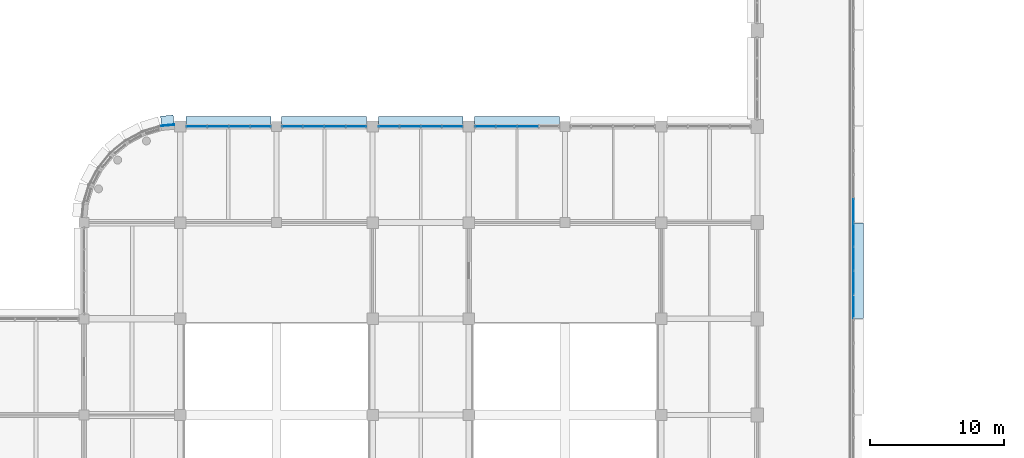
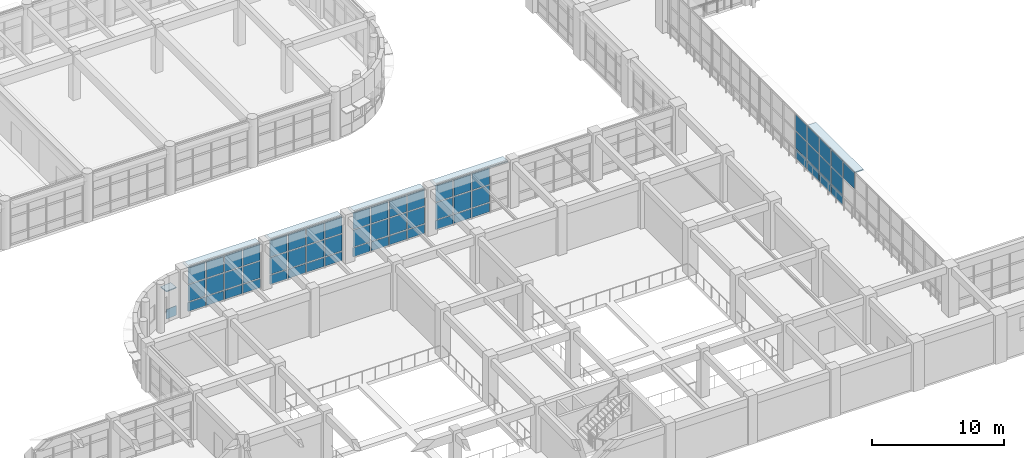
# One storey, part 124 of 171: 65 plates, 6 elements without a shape of their own.
"""IFC4 building model written with IfcOpenShell, lengths in metres."""

import ifcopenshell
import ifcopenshell.guid

model = None  # the IFC model being written
_history = None  # IfcOwnerHistory: only IFC2X3 demands one
_inside = {}  # id of a spatial element -> (the spatial element, [elements in it])
_under = {}  # id of a project, library or spatial element -> (it, [spatial elements below it])
_declared = {}  # id of a project -> (the project, [libraries it declares])
_typed = {}  # id of a type object -> (the type object, [elements of that type])
_made_of = {}  # id of a material, layer set ... -> (it, [elements and type objects made of it])


def new_model(schema):
    """Start an empty IFC model of exactly this schema.

    Asked for "IFC4X3", IfcOpenShell would pick the latest addendum, in which some entities
    have other attributes; the version numbers below select the first issue.
    IFC2X3 requires an IfcOwnerHistory on every rooted entity: one is made here for all.
    """
    global model, _history
    if schema == "IFC4X3":
        model = ifcopenshell.file(schema_version=(4, 3, 0, 0))
    else:
        model = ifcopenshell.file(schema=schema)
    _inside.clear()
    _under.clear()
    _declared.clear()
    _typed.clear()
    _made_of.clear()
    _history = None
    if model.schema == "IFC2X3":
        org = make("IfcOrganization", Name="unknown")
        user = make(
            "IfcPersonAndOrganization",
            ThePerson=make("IfcPerson", FamilyName="unknown"),
            TheOrganization=org,
        )
        app = make(
            "IfcApplication",
            ApplicationDeveloper=org,
            Version="unknown",
            ApplicationFullName="unknown",
            ApplicationIdentifier="unknown",
        )
        _history = make(
            "IfcOwnerHistory",
            OwningUser=user,
            OwningApplication=app,
            ChangeAction="ADDED",
            CreationDate=0,
        )
    return model


def make(cls, **values):
    """One entity of the class cls with the attributes given. An attribute that is None is left unset."""
    return model.create_entity(
        cls, **{name: value for name, value in values.items() if value is not None}
    )


def rooted(cls, **values):
    """An entity with a GlobalId (a new one), such as an element, a storey or a relation."""
    return make(cls, GlobalId=ifcopenshell.guid.new(), OwnerHistory=_history, **values)


def si_unit(unit_type, name, prefix=None):
    """IfcSIUnit, for example si_unit("LENGTHUNIT", "METRE", prefix="MILLI")."""
    return make("IfcSIUnit", UnitType=unit_type, Prefix=prefix, Name=name)


def assignment(units):
    """IfcUnitAssignment: the units of a project."""
    return None if units is None else make("IfcUnitAssignment", Units=units)


def point(xyz):
    """IfcCartesianPoint."""
    return None if xyz is None else make("IfcCartesianPoint", Coordinates=xyz)


def direction(xyz):
    """IfcDirection."""
    return None if xyz is None else make("IfcDirection", DirectionRatios=xyz)


def frame(location, z_axis=None, x_axis=None):
    """IfcAxis2Placement3D, a coordinate frame: its origin and axes. An axis left out is left unset."""
    return make(
        "IfcAxis2Placement3D",
        Location=point(location),
        Axis=direction(z_axis),
        RefDirection=direction(x_axis),
    )


def frame_2d(location, x_axis=None):
    """IfcAxis2Placement2D, a coordinate frame in the plane: its origin and x axis."""
    return make(
        "IfcAxis2Placement2D", Location=point(location), RefDirection=direction(x_axis)
    )


def origin():
    """The frame at (0, 0, 0) with its axes left unset."""
    return frame((0.0, 0.0, 0.0))


def origin_2d():
    """The frame at (0, 0) in the plane with its x axis left unset."""
    return frame_2d((0.0, 0.0))


def place(relative_to, where):
    """IfcLocalPlacement: puts the frame where relative to a parent placement (None: the world)."""
    return make(
        "IfcLocalPlacement", PlacementRelTo=relative_to, RelativePlacement=where
    )


def context(
    kind, dimensions, precision=None, world=None, true_north=None, identifier=None
):
    """IfcGeometricRepresentationContext, for example the 3D "Model" context."""
    return make(
        "IfcGeometricRepresentationContext",
        ContextIdentifier=identifier,
        ContextType=kind,
        CoordinateSpaceDimension=dimensions,
        Precision=precision,
        WorldCoordinateSystem=world,
        TrueNorth=true_north,
    )


def subcontext(parent, identifier, kind, view, scale=None):
    """IfcGeometricRepresentationSubContext, for example "Body" below "Model"."""
    return make(
        "IfcGeometricRepresentationSubContext",
        ContextIdentifier=identifier,
        ContextType=kind,
        ParentContext=parent,
        TargetScale=scale,
        TargetView=view,
    )


def project(units=None, contexts=None):
    """IfcProject with its units and contexts."""
    return rooted(
        "IfcProject",
        Name="project",
        RepresentationContexts=contexts,
        UnitsInContext=assignment(units),
    )


def spatial(cls, under=None, at=None, **own):
    """A site, building, storey or space (cls), placed at a placement, below another one or the project."""
    s = rooted(cls, ObjectPlacement=at, **own)
    if under is not None:
        _under.setdefault(under.id(), (under, []))[1].append(s)
    return s


def profile(cls, at=None, kind="AREA", **sizes):
    """A parametric profile (cls). Its sizes go by their IFC names, for example OverallWidth=200.0."""
    return make(cls, ProfileType=kind, Position=at, **sizes)


def rectangle(**sizes):
    """IfcRectangleProfileDef."""
    return profile("IfcRectangleProfileDef", **sizes)


def extrude(swept, where, along, depth):
    """IfcExtrudedAreaSolid: the profile swept, set in the frame where, extruded along a direction by depth."""
    return make(
        "IfcExtrudedAreaSolid",
        SweptArea=swept,
        Position=where,
        ExtrudedDirection=direction(along),
        Depth=depth,
    )


def shape(context_of_items, identifier, shape_type, items):
    """IfcShapeRepresentation: the items that make up one representation, for example the "Body"."""
    return make(
        "IfcShapeRepresentation",
        ContextOfItems=context_of_items,
        RepresentationIdentifier=identifier,
        RepresentationType=shape_type,
        Items=items,
    )


def material(Name=None, Category=None):
    """IfcMaterial."""
    return make("IfcMaterial", Name=Name, Category=Category)


def layer(
    of_material, thickness, ventilated=None, Name=None, Category=None, Priority=None
):
    """IfcMaterialLayer: one layer of a wall or slab, of a material (None: an air gap)."""
    return make(
        "IfcMaterialLayer",
        Material=of_material,
        LayerThickness=thickness,
        IsVentilated=ventilated,
        Name=Name,
        Category=Category,
        Priority=Priority,
    )


def layer_set(layers, Name=None):
    """IfcMaterialLayerSet."""
    return make("IfcMaterialLayerSet", MaterialLayers=layers, LayerSetName=Name)


def made_of(thing, what):
    """Note that an element or type object is made of a material, layer set ...; save() writes the relation."""
    if what is not None:
        _made_of.setdefault(what.id(), (what, []))[1].append(thing)
    return thing


def type_object(cls, material=None, **own):
    """A type object (cls), such as IfcWallType, which elements share."""
    return made_of(rooted(cls, **own), material)


def element(
    cls,
    number,
    at=None,
    inside=None,
    cuts=None,
    type_object=None,
    material=None,
    context=None,
    identifier="Body",
    shape_type=None,
    held_by="IfcProductDefinitionShape",
    body=None,
    shapes=None,
    **own,
):
    """One element of the class cls, such as IfcWall. Its Tag is "e" and its number.

    at: its placement. inside: the storey or other place that contains it. cuts: it is an
    opening in that element (IfcRelVoidsElement). A single representation is given by context,
    identifier, shape_type and body (its items); several are given by shapes. held_by: the class
    of the entity that holds the representations. save() writes the other relations.
    """
    e = rooted(cls, Tag="e%d" % number, ObjectPlacement=at, **own)
    if body is not None:
        shapes = [shape(context, identifier, shape_type, body)]
    if shapes is not None:
        e.Representation = make(held_by, Representations=shapes)
    if inside is not None:
        _inside.setdefault(inside.id(), (inside, []))[1].append(e)
    if cuts is not None:
        rooted(
            "IfcRelVoidsElement", RelatingBuildingElement=cuts, RelatedOpeningElement=e
        )
    if type_object is not None:
        _typed.setdefault(type_object.id(), (type_object, []))[1].append(e)
    return made_of(e, material)


def aggregate(whole, parts):
    """IfcRelAggregates: a whole, such as a stair, and the parts it consists of."""
    return rooted("IfcRelAggregates", RelatingObject=whole, RelatedObjects=parts)


def save(model, path):
    """Write the relations noted so far, then the file.

    IfcRelAggregates (storeys below a building ...), IfcRelContainedInSpatialStructure (elements
    in a storey), IfcRelDefinesByType, IfcRelAssociatesMaterial and IfcRelDeclares: one each for
    every whole, place, type object, material and project.
    """
    for whole, parts in _under.values():
        aggregate(whole, parts)
    for where, things in _inside.values():
        rooted(
            "IfcRelContainedInSpatialStructure",
            RelatedElements=things,
            RelatingStructure=where,
        )
    for kind, things in _typed.values():
        rooted("IfcRelDefinesByType", RelatedObjects=things, RelatingType=kind)
    for what, things in _made_of.values():
        rooted("IfcRelAssociatesMaterial", RelatedObjects=things, RelatingMaterial=what)
    for by, libraries in _declared.values():
        rooted("IfcRelDeclares", RelatingContext=by, RelatedDefinitions=libraries)
    model.write(path)


model = new_model("IFC4")

# Units and contexts
model_context = context("Model", 3, precision=1e-05, world=origin(), true_north=direction((0.0, 1.0)))
body_context = subcontext(model_context, "Body", "Model", "MODEL_VIEW")
ifc_project = project(units=[si_unit("LENGTHUNIT", "METRE"), si_unit("AREAUNIT", "SQUARE_METRE"), si_unit("VOLUMEUNIT", "CUBIC_METRE"), si_unit("PLANEANGLEUNIT", "RADIAN"), si_unit("MASSUNIT", "GRAM", prefix="KILO")], contexts=[model_context])

# Site, building, storey
site_placement = place(None, origin())
site = spatial("IfcSite", under=ifc_project, at=site_placement, CompositionType="ELEMENT")
building_placement = place(site_placement, origin())
building = spatial("IfcBuilding", under=site, at=building_placement, Name="Thalmaran Polytechnic", CompositionType="ELEMENT")
storey_placement = place(building_placement, frame((0.0, 0.0, 5.39990234375)))
storey = spatial("IfcBuildingStorey", under=building, at=storey_placement, Name="L01", CompositionType="ELEMENT", Elevation=5.39990234375)

# Plates
ifc_material_1 = material(Name="Anodised aluminium spandrel band", Category="aluminium")
ifc_layer_1 = layer(ifc_material_1, 0.054931640625, Name="Anodised aluminium spandrel band")
ifc_layer_set_1 = layer_set([ifc_layer_1], Name="Anodised aluminium spandrel band")
plate_type_1 = type_object("IfcPlateType", Name="PT-BD01", PredefinedType="SHEET", material=ifc_layer_set_1)
plate_1_placement = place(storey_placement, frame((63.86865234375, 36.089111328125, 0.020263671875), z_axis=(0.0, 0.0, 1.0), x_axis=(0.995184726672, 0.09801714033, 0.0)))
element("IfcPlate", 1, at=plate_1_placement, inside=storey, type_object=plate_type_1, Name="Streamline Horizontal Spandrel Band L01-187", PredefinedType="SHEET", context=body_context, shape_type="SweptSolid", body=[
    extrude(rectangle(XDim=0.9462890625, YDim=0.054931640625, at=origin_2d()), origin(), (0.0, 0.0, 1.0), 0.8798828125),
])
ifc_material_2 = material(Name="Anodised aluminium sun-hood eyebrow", Category="aluminium")
ifc_layer_2 = layer(ifc_material_2, 0.0849609375, Name="Anodised aluminium sun-hood eyebrow")
ifc_layer_set_2 = layer_set([ifc_layer_2], Name="Anodised aluminium sun-hood eyebrow")
plate_type_2 = type_object("IfcPlateType", Name="PT-EB01", PredefinedType="SHEET", material=ifc_layer_set_2)
plate_2_placement = place(storey_placement, frame((115.56005859375, 25.199951171875, 4.107666015625), z_axis=(0.0, 0.0, 1.0), x_axis=(0.0, -1.0, 0.0)))
element("IfcPlate", 2, at=plate_2_placement, inside=storey, type_object=plate_type_2, Name="Streamline Sun-Hood Eyebrow L01-CW108", PredefinedType="SHEET", context=body_context, shape_type="SweptSolid", body=[
    extrude(rectangle(XDim=7.159912109375, YDim=0.760009765625, at=origin_2d()), origin(), (0.0, 0.0, 1.0), 0.0849609375),
])
plate_3_placement = place(storey_placement, frame((63.834716796875, 36.432373046875, 2.517578125), z_axis=(0.0, 0.0, 1.0), x_axis=(0.995184726672, 0.09801714033, 0.0)))
element("IfcPlate", 3, at=plate_3_placement, inside=storey, type_object=plate_type_2, Name="Streamline Sun-Hood Eyebrow L01-187", PredefinedType="SHEET", context=body_context, shape_type="SweptSolid", body=[
    extrude(rectangle(XDim=0.9462890625, YDim=0.760009765625, at=origin_2d()), origin(), (0.0, 0.0, 1.0), 0.0849609375),
])
for number, where, z_axis, x_axis, name in (
    (4, (68.425048828125, 36.360107421875, 4.107666015625), (0.0, 0.0, 1.0), (1.0, 0.0, 0.0), "Streamline Sun-Hood Eyebrow L01-CW168"),
    (5, (75.574951171875, 36.360107421875, 4.107666015625), (0.0, 0.0, 1.0), (1.0, 0.0, 0.0), "Streamline Sun-Hood Eyebrow L01-CW169"),
):
    element("IfcPlate", number, at=place(storey_placement, frame(where, z_axis=z_axis, x_axis=x_axis)), inside=storey, type_object=plate_type_2, Name=name, PredefinedType="SHEET", context=body_context, shape_type="SweptSolid", body=[
        extrude(rectangle(XDim=6.360107421875, YDim=0.760009765625, at=origin_2d()), origin(), (0.0, 0.0, 1.0), 0.0849609375),
    ])
plate_4_placement = place(storey_placement, frame((82.800048828125, 36.360107421875, 4.107666015625), z_axis=(0.0, 0.0, 1.0), x_axis=(1.0, 0.0, 0.0)))
element("IfcPlate", 6, at=plate_4_placement, inside=storey, type_object=plate_type_2, Name="Streamline Sun-Hood Eyebrow L01-CW170", PredefinedType="SHEET", context=body_context, shape_type="SweptSolid", body=[
    extrude(rectangle(XDim=6.31005859375, YDim=0.760009765625, at=origin_2d()), origin(), (0.0, 0.0, 1.0), 0.0849609375),
])
plate_5_placement = place(storey_placement, frame((90.02490234375, 36.360107421875, 4.107666015625), z_axis=(0.0, 0.0, 1.0), x_axis=(1.0, 0.0, 0.0)))
element("IfcPlate", 7, at=plate_5_placement, inside=storey, type_object=plate_type_2, Name="Streamline Sun-Hood Eyebrow L01-CW171", PredefinedType="SHEET", context=body_context, shape_type="SweptSolid", body=[
    extrude(rectangle(XDim=6.360107421875, YDim=0.760009765625, at=origin_2d()), origin(), (0.0, 0.0, 1.0), 0.0849609375),
])

# Curtain wall, plates
ifc_material_3 = material(Name="Aluminium 6063-T6", Category="aluminium")
curtain_wall_type = type_object("IfcCurtainWallType", Name="CW-UC02", PredefinedType="USERDEFINED", material=ifc_material_3)
curtain_wall_1_placement = place(storey_placement, origin())
curtain_wall_1 = element("IfcCurtainWall", 8, at=curtain_wall_1_placement, inside=storey, type_object=curtain_wall_type, Name="Curtain Wall CW-L01-170", ObjectType="UNITISED CURTAIN WALL", PredefinedType="USERDEFINED")
ifc_material_4 = material(Name="Solar-control double low-E glass", Category="glass")
ifc_layer_3 = layer(ifc_material_4, 0.035888671875, Name="Solar-control double low-E glass")
ifc_layer_set_3 = layer_set([ifc_layer_3], Name="Solar-control double low-E glass")
plate_type_3 = type_object("IfcPlateType", Name="PT-GL01", PredefinedType="CURTAIN_PANEL", material=ifc_layer_set_3)
plate_6_placement = place(storey_placement, frame((80.418701171875, 36.0, 1.000244140625), z_axis=(0.0, 0.0, 1.0), x_axis=(1.0, 0.0, 0.0)))
plate_6 = element("IfcPlate", 9, at=plate_6_placement, type_object=plate_type_3, Name="CW-L01-170 Vision Panel 1-2", PredefinedType="CURTAIN_PANEL", context=body_context, shape_type="SweptSolid", body=[
    extrude(rectangle(XDim=1.487548828125, YDim=0.035888671875, at=origin_2d()), origin(), (0.0, 0.0, 1.0), 1.544921875),
])
plate_7_placement = place(storey_placement, frame((80.418701171875, 36.0, 2.625), z_axis=(0.0, 0.0, 1.0), x_axis=(1.0, 0.0, 0.0)))
plate_7 = element("IfcPlate", 10, at=plate_7_placement, type_object=plate_type_3, Name="CW-L01-170 Vision Panel 1-3", PredefinedType="CURTAIN_PANEL", context=body_context, shape_type="SweptSolid", body=[
    extrude(rectangle(XDim=1.487548828125, YDim=0.035888671875, at=origin_2d()), origin(), (0.0, 0.0, 1.0), 1.485107421875),
])
plate_8_placement = place(storey_placement, frame((82.00634765625, 36.0, 1.000244140625), z_axis=(0.0, 0.0, 1.0), x_axis=(1.0, 0.0, 0.0)))
plate_8 = element("IfcPlate", 11, at=plate_8_placement, type_object=plate_type_3, Name="CW-L01-170 Vision Panel 2-2", PredefinedType="CURTAIN_PANEL", context=body_context, shape_type="SweptSolid", body=[
    extrude(rectangle(XDim=1.487548828125, YDim=0.035888671875, at=origin_2d()), origin(), (0.0, 0.0, 1.0), 1.544921875),
])
plate_9_placement = place(storey_placement, frame((82.00634765625, 36.0, 2.625), z_axis=(0.0, 0.0, 1.0), x_axis=(1.0, 0.0, 0.0)))
plate_9 = element("IfcPlate", 12, at=plate_9_placement, type_object=plate_type_3, Name="CW-L01-170 Vision Panel 2-3", PredefinedType="CURTAIN_PANEL", context=body_context, shape_type="SweptSolid", body=[
    extrude(rectangle(XDim=1.487548828125, YDim=0.035888671875, at=origin_2d()), origin(), (0.0, 0.0, 1.0), 1.485107421875),
])
plate_10_placement = place(storey_placement, frame((83.59375, 36.0, 1.000244140625), z_axis=(0.0, 0.0, 1.0), x_axis=(1.0, 0.0, 0.0)))
plate_10 = element("IfcPlate", 13, at=plate_10_placement, type_object=plate_type_3, Name="CW-L01-170 Vision Panel 3-2", PredefinedType="CURTAIN_PANEL", context=body_context, shape_type="SweptSolid", body=[
    extrude(rectangle(XDim=1.487548828125, YDim=0.035888671875, at=origin_2d()), origin(), (0.0, 0.0, 1.0), 1.544921875),
])
plate_11_placement = place(storey_placement, frame((83.59375, 36.0, 2.625), z_axis=(0.0, 0.0, 1.0), x_axis=(1.0, 0.0, 0.0)))
plate_11 = element("IfcPlate", 14, at=plate_11_placement, type_object=plate_type_3, Name="CW-L01-170 Vision Panel 3-3", PredefinedType="CURTAIN_PANEL", context=body_context, shape_type="SweptSolid", body=[
    extrude(rectangle(XDim=1.487548828125, YDim=0.035888671875, at=origin_2d()), origin(), (0.0, 0.0, 1.0), 1.485107421875),
])
plate_12_placement = place(storey_placement, frame((85.18115234375, 36.0, 1.000244140625), z_axis=(0.0, 0.0, 1.0), x_axis=(1.0, 0.0, 0.0)))
plate_12 = element("IfcPlate", 15, at=plate_12_placement, type_object=plate_type_3, Name="CW-L01-170 Vision Panel 4-2", PredefinedType="CURTAIN_PANEL", context=body_context, shape_type="SweptSolid", body=[
    extrude(rectangle(XDim=1.487548828125, YDim=0.035888671875, at=origin_2d()), origin(), (0.0, 0.0, 1.0), 1.544921875),
])
plate_13_placement = place(storey_placement, frame((85.18115234375, 36.0, 2.625), z_axis=(0.0, 0.0, 1.0), x_axis=(1.0, 0.0, 0.0)))
plate_13 = element("IfcPlate", 16, at=plate_13_placement, type_object=plate_type_3, Name="CW-L01-170 Vision Panel 4-3", PredefinedType="CURTAIN_PANEL", context=body_context, shape_type="SweptSolid", body=[
    extrude(rectangle(XDim=1.487548828125, YDim=0.035888671875, at=origin_2d()), origin(), (0.0, 0.0, 1.0), 1.485107421875),
])

curtain_wall_2_placement = place(storey_placement, origin())
curtain_wall_2 = element("IfcCurtainWall", 17, at=curtain_wall_2_placement, inside=storey, type_object=curtain_wall_type, Name="Curtain Wall CW-L01-171", ObjectType="UNITISED CURTAIN WALL", PredefinedType="USERDEFINED")
ifc_layer_4 = layer(ifc_material_4, 0.035888671875, Name="Solar-control double low-E glass")
ifc_layer_set_4 = layer_set([ifc_layer_4], Name="Solar-control double low-E glass")
plate_type_4 = type_object("IfcPlateType", Name="PT-GL02", PredefinedType="CURTAIN_PANEL", material=ifc_layer_set_4)
plate_14_placement = place(storey_placement, frame((87.625, 36.0, 1.000244140625), z_axis=(0.0, 0.0, 1.0), x_axis=(1.0, 0.0, 0.0)))
plate_14 = element("IfcPlate", 18, at=plate_14_placement, type_object=plate_type_4, Name="CW-L01-171 Vision Panel 1-2", PredefinedType="CURTAIN_PANEL", context=body_context, shape_type="SweptSolid", body=[
    extrude(rectangle(XDim=1.5, YDim=0.035888671875, at=origin_2d()), origin(), (0.0, 0.0, 1.0), 1.544921875),
])
plate_15_placement = place(storey_placement, frame((87.625, 36.0, 2.625), z_axis=(0.0, 0.0, 1.0), x_axis=(1.0, 0.0, 0.0)))
plate_15 = element("IfcPlate", 19, at=plate_15_placement, type_object=plate_type_4, Name="CW-L01-171 Vision Panel 1-3", PredefinedType="CURTAIN_PANEL", context=body_context, shape_type="SweptSolid", body=[
    extrude(rectangle(XDim=1.5, YDim=0.035888671875, at=origin_2d()), origin(), (0.0, 0.0, 1.0), 1.485107421875),
])
plate_16_placement = place(storey_placement, frame((89.22509765625, 36.0, 1.000244140625), z_axis=(0.0, 0.0, 1.0), x_axis=(1.0, 0.0, 0.0)))
plate_16 = element("IfcPlate", 20, at=plate_16_placement, type_object=plate_type_4, Name="CW-L01-171 Vision Panel 2-2", PredefinedType="CURTAIN_PANEL", context=body_context, shape_type="SweptSolid", body=[
    extrude(rectangle(XDim=1.5, YDim=0.035888671875, at=origin_2d()), origin(), (0.0, 0.0, 1.0), 1.544921875),
])
plate_17_placement = place(storey_placement, frame((89.22509765625, 36.0, 2.625), z_axis=(0.0, 0.0, 1.0), x_axis=(1.0, 0.0, 0.0)))
plate_17 = element("IfcPlate", 21, at=plate_17_placement, type_object=plate_type_4, Name="CW-L01-171 Vision Panel 2-3", PredefinedType="CURTAIN_PANEL", context=body_context, shape_type="SweptSolid", body=[
    extrude(rectangle(XDim=1.5, YDim=0.035888671875, at=origin_2d()), origin(), (0.0, 0.0, 1.0), 1.485107421875),
])
plate_18_placement = place(storey_placement, frame((90.824951171875, 36.0, 1.000244140625), z_axis=(0.0, 0.0, 1.0), x_axis=(1.0, 0.0, 0.0)))
plate_18 = element("IfcPlate", 22, at=plate_18_placement, type_object=plate_type_4, Name="CW-L01-171 Vision Panel 3-2", PredefinedType="CURTAIN_PANEL", context=body_context, shape_type="SweptSolid", body=[
    extrude(rectangle(XDim=1.5, YDim=0.035888671875, at=origin_2d()), origin(), (0.0, 0.0, 1.0), 1.544921875),
])
plate_19_placement = place(storey_placement, frame((90.824951171875, 36.0, 2.625), z_axis=(0.0, 0.0, 1.0), x_axis=(1.0, 0.0, 0.0)))
plate_19 = element("IfcPlate", 23, at=plate_19_placement, type_object=plate_type_4, Name="CW-L01-171 Vision Panel 3-3", PredefinedType="CURTAIN_PANEL", context=body_context, shape_type="SweptSolid", body=[
    extrude(rectangle(XDim=1.5, YDim=0.035888671875, at=origin_2d()), origin(), (0.0, 0.0, 1.0), 1.485107421875),
])

curtain_wall_3_placement = place(storey_placement, origin())
curtain_wall_3 = element("IfcCurtainWall", 24, at=curtain_wall_3_placement, inside=storey, type_object=curtain_wall_type, Name="Curtain Wall CW-L01-107", ObjectType="UNITISED CURTAIN WALL", PredefinedType="USERDEFINED")
ifc_layer_5 = layer(ifc_material_4, 0.035888671875, Name="Solar-control double low-E glass")
ifc_layer_set_5 = layer_set([ifc_layer_5], Name="Solar-control double low-E glass")
plate_type_5 = type_object("IfcPlateType", Name="PT-GL03", PredefinedType="CURTAIN_PANEL", material=ifc_layer_set_5)
plate_20_placement = place(storey_placement, frame((115.199951171875, 29.699951171875, 1.000244140625), z_axis=(0.0, 0.0, 1.0), x_axis=(0.0, -1.0, 0.0)))
plate_20 = element("IfcPlate", 25, at=plate_20_placement, type_object=plate_type_5, Name="CW-L01-107 Vision Panel 4-2", PredefinedType="CURTAIN_PANEL", context=body_context, shape_type="SweptSolid", body=[
    extrude(rectangle(XDim=1.699951171875, YDim=0.035888671875, at=origin_2d()), origin(), (0.0, 0.0, 1.0), 1.544921875),
])
plate_21_placement = place(storey_placement, frame((115.199951171875, 29.699951171875, 2.625), z_axis=(0.0, 0.0, 1.0), x_axis=(0.0, -1.0, 0.0)))
plate_21 = element("IfcPlate", 26, at=plate_21_placement, type_object=plate_type_5, Name="CW-L01-107 Vision Panel 4-3", PredefinedType="CURTAIN_PANEL", context=body_context, shape_type="SweptSolid", body=[
    extrude(rectangle(XDim=1.699951171875, YDim=0.035888671875, at=origin_2d()), origin(), (0.0, 0.0, 1.0), 1.485107421875),
])

curtain_wall_4_placement = place(storey_placement, origin())
curtain_wall_4 = element("IfcCurtainWall", 27, at=curtain_wall_4_placement, inside=storey, type_object=curtain_wall_type, Name="Curtain Wall CW-L01-108", ObjectType="UNITISED CURTAIN WALL", PredefinedType="USERDEFINED")
ifc_layer_6 = layer(ifc_material_4, 0.035888671875, Name="Solar-control double low-E glass")
ifc_layer_set_6 = layer_set([ifc_layer_6], Name="Solar-control double low-E glass")
plate_type_6 = type_object("IfcPlateType", Name="PT-GL04", PredefinedType="CURTAIN_PANEL", material=ifc_layer_set_6)
plate_22_placement = place(storey_placement, frame((115.199951171875, 27.89990234375, 1.000244140625), z_axis=(0.0, 0.0, 1.0), x_axis=(0.0, -1.0, 0.0)))
plate_22 = element("IfcPlate", 28, at=plate_22_placement, type_object=plate_type_6, Name="CW-L01-108 Vision Panel 1-2", PredefinedType="CURTAIN_PANEL", context=body_context, shape_type="SweptSolid", body=[
    extrude(rectangle(XDim=1.699951171875, YDim=0.035888671875, at=origin_2d()), origin(), (0.0, 0.0, 1.0), 1.544921875),
])
plate_23_placement = place(storey_placement, frame((115.199951171875, 27.89990234375, 2.625), z_axis=(0.0, 0.0, 1.0), x_axis=(0.0, -1.0, 0.0)))
plate_23 = element("IfcPlate", 29, at=plate_23_placement, type_object=plate_type_6, Name="CW-L01-108 Vision Panel 1-3", PredefinedType="CURTAIN_PANEL", context=body_context, shape_type="SweptSolid", body=[
    extrude(rectangle(XDim=1.699951171875, YDim=0.035888671875, at=origin_2d()), origin(), (0.0, 0.0, 1.0), 1.485107421875),
])
plate_24_placement = place(storey_placement, frame((115.199951171875, 26.10009765625, 1.000244140625), z_axis=(0.0, 0.0, 1.0), x_axis=(0.0, -1.0, 0.0)))
plate_24 = element("IfcPlate", 30, at=plate_24_placement, type_object=plate_type_6, Name="CW-L01-108 Vision Panel 2-2", PredefinedType="CURTAIN_PANEL", context=body_context, shape_type="SweptSolid", body=[
    extrude(rectangle(XDim=1.699951171875, YDim=0.035888671875, at=origin_2d()), origin(), (0.0, 0.0, 1.0), 1.544921875),
])
plate_25_placement = place(storey_placement, frame((115.199951171875, 26.10009765625, 2.625), z_axis=(0.0, 0.0, 1.0), x_axis=(0.0, -1.0, 0.0)))
plate_25 = element("IfcPlate", 31, at=plate_25_placement, type_object=plate_type_6, Name="CW-L01-108 Vision Panel 2-3", PredefinedType="CURTAIN_PANEL", context=body_context, shape_type="SweptSolid", body=[
    extrude(rectangle(XDim=1.699951171875, YDim=0.035888671875, at=origin_2d()), origin(), (0.0, 0.0, 1.0), 1.485107421875),
])
plate_26_placement = place(storey_placement, frame((115.199951171875, 24.300048828125, 1.000244140625), z_axis=(0.0, 0.0, 1.0), x_axis=(0.0, -1.0, 0.0)))
plate_26 = element("IfcPlate", 32, at=plate_26_placement, type_object=plate_type_6, Name="CW-L01-108 Vision Panel 3-2", PredefinedType="CURTAIN_PANEL", context=body_context, shape_type="SweptSolid", body=[
    extrude(rectangle(XDim=1.699951171875, YDim=0.035888671875, at=origin_2d()), origin(), (0.0, 0.0, 1.0), 1.544921875),
])
plate_27_placement = place(storey_placement, frame((115.199951171875, 24.300048828125, 2.625), z_axis=(0.0, 0.0, 1.0), x_axis=(0.0, -1.0, 0.0)))
plate_27 = element("IfcPlate", 33, at=plate_27_placement, type_object=plate_type_6, Name="CW-L01-108 Vision Panel 3-3", PredefinedType="CURTAIN_PANEL", context=body_context, shape_type="SweptSolid", body=[
    extrude(rectangle(XDim=1.699951171875, YDim=0.035888671875, at=origin_2d()), origin(), (0.0, 0.0, 1.0), 1.485107421875),
])
plate_28_placement = place(storey_placement, frame((115.199951171875, 22.5, 2.625), z_axis=(0.0, 0.0, 1.0), x_axis=(0.0, -1.0, 0.0)))
plate_28 = element("IfcPlate", 34, at=plate_28_placement, type_object=plate_type_6, Name="CW-L01-108 Vision Panel 4-3", PredefinedType="CURTAIN_PANEL", context=body_context, shape_type="SweptSolid", body=[
    extrude(rectangle(XDim=1.699951171875, YDim=0.035888671875, at=origin_2d()), origin(), (0.0, 0.0, 1.0), 1.485107421875),
])

curtain_wall_5_placement = place(storey_placement, origin())
curtain_wall_5 = element("IfcCurtainWall", 35, at=curtain_wall_5_placement, inside=storey, type_object=curtain_wall_type, Name="Curtain Wall CW-L01-168", ObjectType="UNITISED CURTAIN WALL", PredefinedType="USERDEFINED")
plate_29_placement = place(storey_placement, frame((66.02490234375, 36.0, 1.000244140625), z_axis=(0.0, 0.0, 1.0), x_axis=(1.0, 0.0, 0.0)))
plate_29 = element("IfcPlate", 36, at=plate_29_placement, type_object=plate_type_6, Name="CW-L01-168 Vision Panel 1-2", PredefinedType="CURTAIN_PANEL", context=body_context, shape_type="SweptSolid", body=[
    extrude(rectangle(XDim=1.5, YDim=0.035888671875, at=origin_2d()), origin(), (0.0, 0.0, 1.0), 1.544921875),
])
plate_30_placement = place(storey_placement, frame((66.02490234375, 36.0, 2.625), z_axis=(0.0, 0.0, 1.0), x_axis=(1.0, 0.0, 0.0)))
plate_30 = element("IfcPlate", 37, at=plate_30_placement, type_object=plate_type_6, Name="CW-L01-168 Vision Panel 1-3", PredefinedType="CURTAIN_PANEL", context=body_context, shape_type="SweptSolid", body=[
    extrude(rectangle(XDim=1.5, YDim=0.035888671875, at=origin_2d()), origin(), (0.0, 0.0, 1.0), 1.485107421875),
])
plate_31_placement = place(storey_placement, frame((67.625, 36.0, 1.000244140625), z_axis=(0.0, 0.0, 1.0), x_axis=(1.0, 0.0, 0.0)))
plate_31 = element("IfcPlate", 38, at=plate_31_placement, type_object=plate_type_6, Name="CW-L01-168 Vision Panel 2-2", PredefinedType="CURTAIN_PANEL", context=body_context, shape_type="SweptSolid", body=[
    extrude(rectangle(XDim=1.5, YDim=0.035888671875, at=origin_2d()), origin(), (0.0, 0.0, 1.0), 1.544921875),
])
plate_32_placement = place(storey_placement, frame((67.625, 36.0, 2.625), z_axis=(0.0, 0.0, 1.0), x_axis=(1.0, 0.0, 0.0)))
plate_32 = element("IfcPlate", 39, at=plate_32_placement, type_object=plate_type_6, Name="CW-L01-168 Vision Panel 2-3", PredefinedType="CURTAIN_PANEL", context=body_context, shape_type="SweptSolid", body=[
    extrude(rectangle(XDim=1.5, YDim=0.035888671875, at=origin_2d()), origin(), (0.0, 0.0, 1.0), 1.485107421875),
])
plate_33_placement = place(storey_placement, frame((69.22509765625, 36.0, 1.000244140625), z_axis=(0.0, 0.0, 1.0), x_axis=(1.0, 0.0, 0.0)))
plate_33 = element("IfcPlate", 40, at=plate_33_placement, type_object=plate_type_6, Name="CW-L01-168 Vision Panel 3-2", PredefinedType="CURTAIN_PANEL", context=body_context, shape_type="SweptSolid", body=[
    extrude(rectangle(XDim=1.5, YDim=0.035888671875, at=origin_2d()), origin(), (0.0, 0.0, 1.0), 1.544921875),
])
plate_34_placement = place(storey_placement, frame((69.22509765625, 36.0, 2.625), z_axis=(0.0, 0.0, 1.0), x_axis=(1.0, 0.0, 0.0)))
plate_34 = element("IfcPlate", 41, at=plate_34_placement, type_object=plate_type_6, Name="CW-L01-168 Vision Panel 3-3", PredefinedType="CURTAIN_PANEL", context=body_context, shape_type="SweptSolid", body=[
    extrude(rectangle(XDim=1.5, YDim=0.035888671875, at=origin_2d()), origin(), (0.0, 0.0, 1.0), 1.485107421875),
])
plate_35_placement = place(storey_placement, frame((70.824951171875, 36.0, 1.000244140625), z_axis=(0.0, 0.0, 1.0), x_axis=(1.0, 0.0, 0.0)))
plate_35 = element("IfcPlate", 42, at=plate_35_placement, type_object=plate_type_6, Name="CW-L01-168 Vision Panel 4-2", PredefinedType="CURTAIN_PANEL", context=body_context, shape_type="SweptSolid", body=[
    extrude(rectangle(XDim=1.5, YDim=0.035888671875, at=origin_2d()), origin(), (0.0, 0.0, 1.0), 1.544921875),
])
plate_36_placement = place(storey_placement, frame((70.824951171875, 36.0, 2.625), z_axis=(0.0, 0.0, 1.0), x_axis=(1.0, 0.0, 0.0)))
plate_36 = element("IfcPlate", 43, at=plate_36_placement, type_object=plate_type_6, Name="CW-L01-168 Vision Panel 4-3", PredefinedType="CURTAIN_PANEL", context=body_context, shape_type="SweptSolid", body=[
    extrude(rectangle(XDim=1.5, YDim=0.035888671875, at=origin_2d()), origin(), (0.0, 0.0, 1.0), 1.485107421875),
])

curtain_wall_6_placement = place(storey_placement, origin())
curtain_wall_6 = element("IfcCurtainWall", 44, at=curtain_wall_6_placement, inside=storey, type_object=curtain_wall_type, Name="Curtain Wall CW-L01-169", ObjectType="UNITISED CURTAIN WALL", PredefinedType="USERDEFINED")
ifc_layer_7 = layer(ifc_material_4, 0.035888671875, Name="Solar-control double low-E glass")
ifc_layer_set_7 = layer_set([ifc_layer_7], Name="Solar-control double low-E glass")
plate_type_7 = type_object("IfcPlateType", Name="PT-GL05", PredefinedType="CURTAIN_PANEL", material=ifc_layer_set_7)
plate_37_placement = place(storey_placement, frame((73.175048828125, 36.0, 1.000244140625), z_axis=(0.0, 0.0, 1.0), x_axis=(1.0, 0.0, 0.0)))
plate_37 = element("IfcPlate", 45, at=plate_37_placement, type_object=plate_type_7, Name="CW-L01-169 Vision Panel 1-2", PredefinedType="CURTAIN_PANEL", context=body_context, shape_type="SweptSolid", body=[
    extrude(rectangle(XDim=1.5, YDim=0.035888671875, at=origin_2d()), origin(), (0.0, 0.0, 1.0), 1.544921875),
])
plate_38_placement = place(storey_placement, frame((73.175048828125, 36.0, 2.625), z_axis=(0.0, 0.0, 1.0), x_axis=(1.0, 0.0, 0.0)))
plate_38 = element("IfcPlate", 46, at=plate_38_placement, type_object=plate_type_7, Name="CW-L01-169 Vision Panel 1-3", PredefinedType="CURTAIN_PANEL", context=body_context, shape_type="SweptSolid", body=[
    extrude(rectangle(XDim=1.5, YDim=0.035888671875, at=origin_2d()), origin(), (0.0, 0.0, 1.0), 1.485107421875),
])
plate_39_placement = place(storey_placement, frame((74.77490234375, 36.0, 1.000244140625), z_axis=(0.0, 0.0, 1.0), x_axis=(1.0, 0.0, 0.0)))
plate_39 = element("IfcPlate", 47, at=plate_39_placement, type_object=plate_type_7, Name="CW-L01-169 Vision Panel 2-2", PredefinedType="CURTAIN_PANEL", context=body_context, shape_type="SweptSolid", body=[
    extrude(rectangle(XDim=1.5, YDim=0.035888671875, at=origin_2d()), origin(), (0.0, 0.0, 1.0), 1.544921875),
])
plate_40_placement = place(storey_placement, frame((74.77490234375, 36.0, 2.625), z_axis=(0.0, 0.0, 1.0), x_axis=(1.0, 0.0, 0.0)))
plate_40 = element("IfcPlate", 48, at=plate_40_placement, type_object=plate_type_7, Name="CW-L01-169 Vision Panel 2-3", PredefinedType="CURTAIN_PANEL", context=body_context, shape_type="SweptSolid", body=[
    extrude(rectangle(XDim=1.5, YDim=0.035888671875, at=origin_2d()), origin(), (0.0, 0.0, 1.0), 1.485107421875),
])
plate_41_placement = place(storey_placement, frame((76.375, 36.0, 1.000244140625), z_axis=(0.0, 0.0, 1.0), x_axis=(1.0, 0.0, 0.0)))
plate_41 = element("IfcPlate", 49, at=plate_41_placement, type_object=plate_type_7, Name="CW-L01-169 Vision Panel 3-2", PredefinedType="CURTAIN_PANEL", context=body_context, shape_type="SweptSolid", body=[
    extrude(rectangle(XDim=1.5, YDim=0.035888671875, at=origin_2d()), origin(), (0.0, 0.0, 1.0), 1.544921875),
])
plate_42_placement = place(storey_placement, frame((76.375, 36.0, 2.625), z_axis=(0.0, 0.0, 1.0), x_axis=(1.0, 0.0, 0.0)))
plate_42 = element("IfcPlate", 50, at=plate_42_placement, type_object=plate_type_7, Name="CW-L01-169 Vision Panel 3-3", PredefinedType="CURTAIN_PANEL", context=body_context, shape_type="SweptSolid", body=[
    extrude(rectangle(XDim=1.5, YDim=0.035888671875, at=origin_2d()), origin(), (0.0, 0.0, 1.0), 1.485107421875),
])
plate_43_placement = place(storey_placement, frame((77.97509765625, 36.0, 1.000244140625), z_axis=(0.0, 0.0, 1.0), x_axis=(1.0, 0.0, 0.0)))
plate_43 = element("IfcPlate", 51, at=plate_43_placement, type_object=plate_type_7, Name="CW-L01-169 Vision Panel 4-2", PredefinedType="CURTAIN_PANEL", context=body_context, shape_type="SweptSolid", body=[
    extrude(rectangle(XDim=1.5, YDim=0.035888671875, at=origin_2d()), origin(), (0.0, 0.0, 1.0), 1.544921875),
])
plate_44_placement = place(storey_placement, frame((77.97509765625, 36.0, 2.625), z_axis=(0.0, 0.0, 1.0), x_axis=(1.0, 0.0, 0.0)))
plate_44 = element("IfcPlate", 52, at=plate_44_placement, type_object=plate_type_7, Name="CW-L01-169 Vision Panel 4-3", PredefinedType="CURTAIN_PANEL", context=body_context, shape_type="SweptSolid", body=[
    extrude(rectangle(XDim=1.5, YDim=0.035888671875, at=origin_2d()), origin(), (0.0, 0.0, 1.0), 1.485107421875),
])

# Plate
ifc_material_5 = material(Name="Insulated anodised aluminium spandrel", Category="aluminium")
ifc_layer_8 = layer(ifc_material_5, 0.06005859375, Name="Insulated anodised aluminium spandrel")
ifc_layer_set_8 = layer_set([ifc_layer_8], Name="Insulated anodised aluminium spandrel")
plate_type_8 = type_object("IfcPlateType", Name="PT-SP01", PredefinedType="CURTAIN_PANEL", material=ifc_layer_set_8)
plate_45_placement = place(storey_placement, frame((115.199951171875, 27.89990234375, 0.10009765625), z_axis=(0.0, 0.0, 1.0), x_axis=(0.0, -1.0, 0.0)))
plate_45 = element("IfcPlate", 53, at=plate_45_placement, type_object=plate_type_8, Name="CW-L01-108 Spandrel Panel 1-1", PredefinedType="CURTAIN_PANEL", context=body_context, shape_type="SweptSolid", body=[
    extrude(rectangle(XDim=1.699951171875, YDim=0.06005859375, at=origin_2d()), origin(), (0.0, 0.0, 1.0), 0.820068359375),
])

plate_46_placement = place(storey_placement, frame((115.199951171875, 26.10009765625, 0.10009765625), z_axis=(0.0, 0.0, 1.0), x_axis=(0.0, -1.0, 0.0)))
plate_46 = element("IfcPlate", 54, at=plate_46_placement, type_object=plate_type_8, Name="CW-L01-108 Spandrel Panel 2-1", PredefinedType="CURTAIN_PANEL", context=body_context, shape_type="SweptSolid", body=[
    extrude(rectangle(XDim=1.699951171875, YDim=0.06005859375, at=origin_2d()), origin(), (0.0, 0.0, 1.0), 0.820068359375),
])

plate_47_placement = place(storey_placement, frame((115.199951171875, 24.300048828125, 0.10009765625), z_axis=(0.0, 0.0, 1.0), x_axis=(0.0, -1.0, 0.0)))
plate_47 = element("IfcPlate", 55, at=plate_47_placement, type_object=plate_type_8, Name="CW-L01-108 Spandrel Panel 3-1", PredefinedType="CURTAIN_PANEL", context=body_context, shape_type="SweptSolid", body=[
    extrude(rectangle(XDim=1.699951171875, YDim=0.06005859375, at=origin_2d()), origin(), (0.0, 0.0, 1.0), 0.820068359375),
])

aggregate(curtain_wall_4, [plate_45, plate_22, plate_23, plate_46, plate_24, plate_25, plate_47, plate_26, plate_27, plate_28])

plate_48_placement = place(storey_placement, frame((66.02490234375, 36.0, 0.10009765625), z_axis=(0.0, 0.0, 1.0), x_axis=(1.0, 0.0, 0.0)))
plate_48 = element("IfcPlate", 56, at=plate_48_placement, type_object=plate_type_8, Name="CW-L01-168 Spandrel Panel 1-1", PredefinedType="CURTAIN_PANEL", context=body_context, shape_type="SweptSolid", body=[
    extrude(rectangle(XDim=1.5, YDim=0.06005859375, at=origin_2d()), origin(), (0.0, 0.0, 1.0), 0.820068359375),
])

plate_49_placement = place(storey_placement, frame((67.625, 36.0, 0.10009765625), z_axis=(0.0, 0.0, 1.0), x_axis=(1.0, 0.0, 0.0)))
plate_49 = element("IfcPlate", 57, at=plate_49_placement, type_object=plate_type_8, Name="CW-L01-168 Spandrel Panel 2-1", PredefinedType="CURTAIN_PANEL", context=body_context, shape_type="SweptSolid", body=[
    extrude(rectangle(XDim=1.5, YDim=0.06005859375, at=origin_2d()), origin(), (0.0, 0.0, 1.0), 0.820068359375),
])

plate_50_placement = place(storey_placement, frame((69.22509765625, 36.0, 0.10009765625), z_axis=(0.0, 0.0, 1.0), x_axis=(1.0, 0.0, 0.0)))
plate_50 = element("IfcPlate", 58, at=plate_50_placement, type_object=plate_type_8, Name="CW-L01-168 Spandrel Panel 3-1", PredefinedType="CURTAIN_PANEL", context=body_context, shape_type="SweptSolid", body=[
    extrude(rectangle(XDim=1.5, YDim=0.06005859375, at=origin_2d()), origin(), (0.0, 0.0, 1.0), 0.820068359375),
])

plate_51_placement = place(storey_placement, frame((70.824951171875, 36.0, 0.10009765625), z_axis=(0.0, 0.0, 1.0), x_axis=(1.0, 0.0, 0.0)))
plate_51 = element("IfcPlate", 59, at=plate_51_placement, type_object=plate_type_8, Name="CW-L01-168 Spandrel Panel 4-1", PredefinedType="CURTAIN_PANEL", context=body_context, shape_type="SweptSolid", body=[
    extrude(rectangle(XDim=1.5, YDim=0.06005859375, at=origin_2d()), origin(), (0.0, 0.0, 1.0), 0.820068359375),
])

aggregate(curtain_wall_5, [plate_48, plate_29, plate_30, plate_49, plate_31, plate_32, plate_50, plate_33, plate_34, plate_51, plate_35, plate_36])

plate_52_placement = place(storey_placement, frame((87.625, 36.0, 0.10009765625), z_axis=(0.0, 0.0, 1.0), x_axis=(1.0, 0.0, 0.0)))
plate_52 = element("IfcPlate", 60, at=plate_52_placement, type_object=plate_type_8, Name="CW-L01-171 Spandrel Panel 1-1", PredefinedType="CURTAIN_PANEL", context=body_context, shape_type="SweptSolid", body=[
    extrude(rectangle(XDim=1.5, YDim=0.06005859375, at=origin_2d()), origin(), (0.0, 0.0, 1.0), 0.820068359375),
])

plate_53_placement = place(storey_placement, frame((89.22509765625, 36.0, 0.10009765625), z_axis=(0.0, 0.0, 1.0), x_axis=(1.0, 0.0, 0.0)))
plate_53 = element("IfcPlate", 61, at=plate_53_placement, type_object=plate_type_8, Name="CW-L01-171 Spandrel Panel 2-1", PredefinedType="CURTAIN_PANEL", context=body_context, shape_type="SweptSolid", body=[
    extrude(rectangle(XDim=1.5, YDim=0.06005859375, at=origin_2d()), origin(), (0.0, 0.0, 1.0), 0.820068359375),
])

plate_54_placement = place(storey_placement, frame((90.824951171875, 36.0, 0.10009765625), z_axis=(0.0, 0.0, 1.0), x_axis=(1.0, 0.0, 0.0)))
plate_54 = element("IfcPlate", 62, at=plate_54_placement, type_object=plate_type_8, Name="CW-L01-171 Spandrel Panel 3-1", PredefinedType="CURTAIN_PANEL", context=body_context, shape_type="SweptSolid", body=[
    extrude(rectangle(XDim=1.5, YDim=0.06005859375, at=origin_2d()), origin(), (0.0, 0.0, 1.0), 0.820068359375),
])

aggregate(curtain_wall_2, [plate_52, plate_14, plate_15, plate_53, plate_16, plate_17, plate_54, plate_18, plate_19])

ifc_layer_9 = layer(ifc_material_5, 0.06005859375, Name="Insulated anodised aluminium spandrel")
ifc_layer_set_9 = layer_set([ifc_layer_9], Name="Insulated anodised aluminium spandrel")
plate_type_9 = type_object("IfcPlateType", Name="PT-SP02", PredefinedType="CURTAIN_PANEL", material=ifc_layer_set_9)
plate_55_placement = place(storey_placement, frame((73.175048828125, 36.0, 0.10009765625), z_axis=(0.0, 0.0, 1.0), x_axis=(1.0, 0.0, 0.0)))
plate_55 = element("IfcPlate", 63, at=plate_55_placement, type_object=plate_type_9, Name="CW-L01-169 Spandrel Panel 1-1", PredefinedType="CURTAIN_PANEL", context=body_context, shape_type="SweptSolid", body=[
    extrude(rectangle(XDim=1.5, YDim=0.06005859375, at=origin_2d()), origin(), (0.0, 0.0, 1.0), 0.820068359375),
])

plate_56_placement = place(storey_placement, frame((74.77490234375, 36.0, 0.10009765625), z_axis=(0.0, 0.0, 1.0), x_axis=(1.0, 0.0, 0.0)))
plate_56 = element("IfcPlate", 64, at=plate_56_placement, type_object=plate_type_9, Name="CW-L01-169 Spandrel Panel 2-1", PredefinedType="CURTAIN_PANEL", context=body_context, shape_type="SweptSolid", body=[
    extrude(rectangle(XDim=1.5, YDim=0.06005859375, at=origin_2d()), origin(), (0.0, 0.0, 1.0), 0.820068359375),
])

plate_57_placement = place(storey_placement, frame((76.375, 36.0, 0.10009765625), z_axis=(0.0, 0.0, 1.0), x_axis=(1.0, 0.0, 0.0)))
plate_57 = element("IfcPlate", 65, at=plate_57_placement, type_object=plate_type_9, Name="CW-L01-169 Spandrel Panel 3-1", PredefinedType="CURTAIN_PANEL", context=body_context, shape_type="SweptSolid", body=[
    extrude(rectangle(XDim=1.5, YDim=0.06005859375, at=origin_2d()), origin(), (0.0, 0.0, 1.0), 0.820068359375),
])

plate_58_placement = place(storey_placement, frame((77.97509765625, 36.0, 0.10009765625), z_axis=(0.0, 0.0, 1.0), x_axis=(1.0, 0.0, 0.0)))
plate_58 = element("IfcPlate", 66, at=plate_58_placement, type_object=plate_type_9, Name="CW-L01-169 Spandrel Panel 4-1", PredefinedType="CURTAIN_PANEL", context=body_context, shape_type="SweptSolid", body=[
    extrude(rectangle(XDim=1.5, YDim=0.06005859375, at=origin_2d()), origin(), (0.0, 0.0, 1.0), 0.820068359375),
])

aggregate(curtain_wall_6, [plate_55, plate_37, plate_38, plate_56, plate_39, plate_40, plate_57, plate_41, plate_42, plate_58, plate_43, plate_44])

ifc_layer_10 = layer(ifc_material_5, 0.06005859375, Name="Insulated anodised aluminium spandrel")
ifc_layer_set_10 = layer_set([ifc_layer_10], Name="Insulated anodised aluminium spandrel")
plate_type_10 = type_object("IfcPlateType", Name="PT-SP03", PredefinedType="CURTAIN_PANEL", material=ifc_layer_set_10)
plate_59_placement = place(storey_placement, frame((115.199951171875, 29.699951171875, 0.10009765625), z_axis=(0.0, 0.0, 1.0), x_axis=(0.0, -1.0, 0.0)))
plate_59 = element("IfcPlate", 67, at=plate_59_placement, type_object=plate_type_10, Name="CW-L01-107 Spandrel Panel 4-1", PredefinedType="CURTAIN_PANEL", context=body_context, shape_type="SweptSolid", body=[
    extrude(rectangle(XDim=1.699951171875, YDim=0.06005859375, at=origin_2d()), origin(), (0.0, 0.0, 1.0), 0.820068359375),
])

aggregate(curtain_wall_3, [plate_59, plate_20, plate_21])

plate_60_placement = place(storey_placement, frame((80.418701171875, 36.0, 0.10009765625), z_axis=(0.0, 0.0, 1.0), x_axis=(1.0, 0.0, 0.0)))
plate_60 = element("IfcPlate", 68, at=plate_60_placement, type_object=plate_type_10, Name="CW-L01-170 Spandrel Panel 1-1", PredefinedType="CURTAIN_PANEL", context=body_context, shape_type="SweptSolid", body=[
    extrude(rectangle(XDim=1.487548828125, YDim=0.06005859375, at=origin_2d()), origin(), (0.0, 0.0, 1.0), 0.820068359375),
])

plate_61_placement = place(storey_placement, frame((82.00634765625, 36.0, 0.10009765625), z_axis=(0.0, 0.0, 1.0), x_axis=(1.0, 0.0, 0.0)))
plate_61 = element("IfcPlate", 69, at=plate_61_placement, type_object=plate_type_10, Name="CW-L01-170 Spandrel Panel 2-1", PredefinedType="CURTAIN_PANEL", context=body_context, shape_type="SweptSolid", body=[
    extrude(rectangle(XDim=1.487548828125, YDim=0.06005859375, at=origin_2d()), origin(), (0.0, 0.0, 1.0), 0.820068359375),
])

plate_62_placement = place(storey_placement, frame((83.59375, 36.0, 0.10009765625), z_axis=(0.0, 0.0, 1.0), x_axis=(1.0, 0.0, 0.0)))
plate_62 = element("IfcPlate", 70, at=plate_62_placement, type_object=plate_type_10, Name="CW-L01-170 Spandrel Panel 3-1", PredefinedType="CURTAIN_PANEL", context=body_context, shape_type="SweptSolid", body=[
    extrude(rectangle(XDim=1.487548828125, YDim=0.06005859375, at=origin_2d()), origin(), (0.0, 0.0, 1.0), 0.820068359375),
])

plate_63_placement = place(storey_placement, frame((85.18115234375, 36.0, 0.10009765625), z_axis=(0.0, 0.0, 1.0), x_axis=(1.0, 0.0, 0.0)))
plate_63 = element("IfcPlate", 71, at=plate_63_placement, type_object=plate_type_10, Name="CW-L01-170 Spandrel Panel 4-1", PredefinedType="CURTAIN_PANEL", context=body_context, shape_type="SweptSolid", body=[
    extrude(rectangle(XDim=1.487548828125, YDim=0.06005859375, at=origin_2d()), origin(), (0.0, 0.0, 1.0), 0.820068359375),
])

aggregate(curtain_wall_1, [plate_60, plate_6, plate_7, plate_61, plate_8, plate_9, plate_62, plate_10, plate_11, plate_63, plate_12, plate_13])

save(model, "model.ifc")
